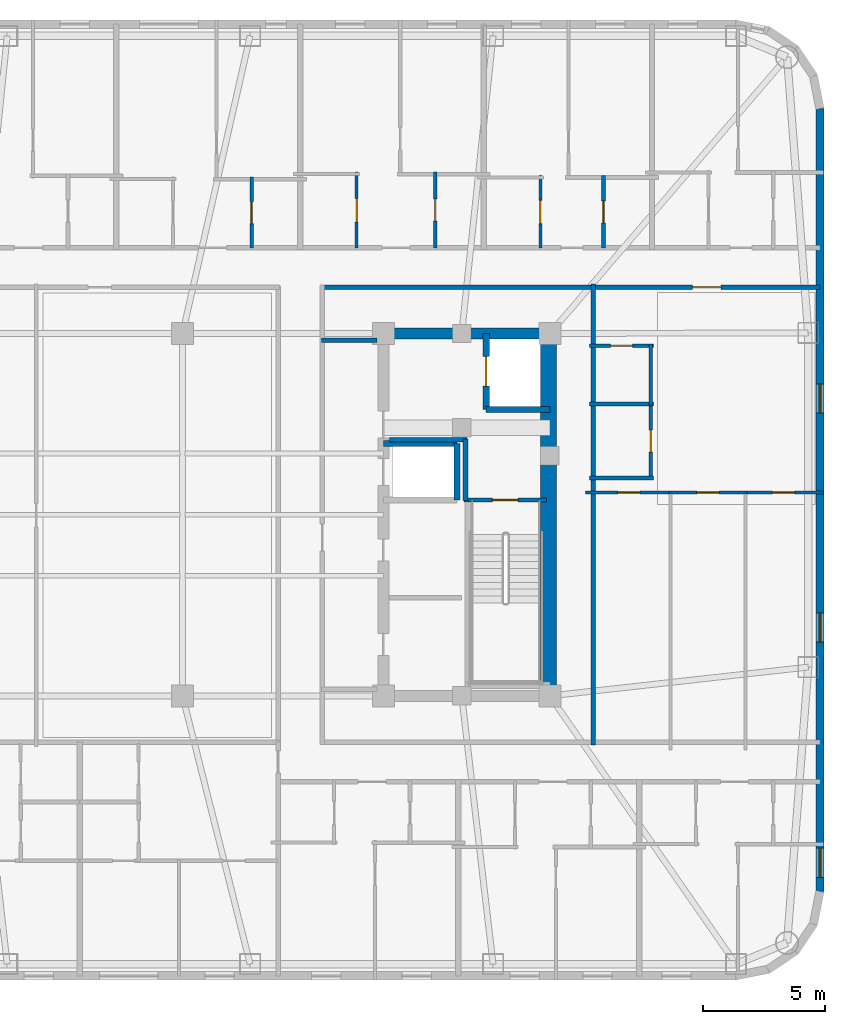
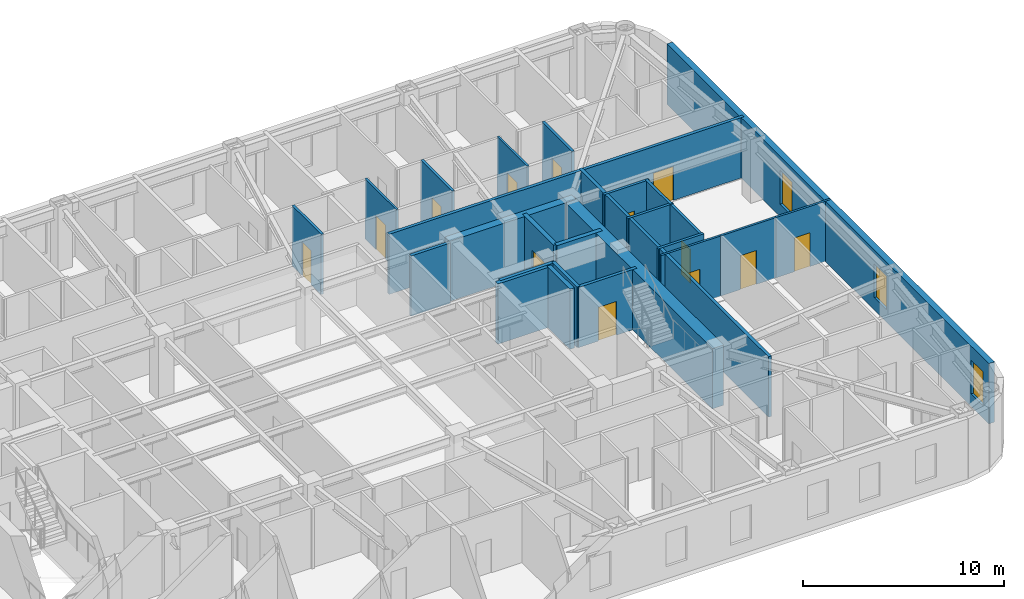
# One storey, part 7 of 11: 26 walls, 13 doors, 3 windows, 16 openings.
"""IFC4 building model written with IfcOpenShell, lengths in metres."""

from ifc_helpers import new_model, si_unit, direction, frame, frame_2d, origin, place, context, subcontext, project, spatial, rectangle, extrude, material, layer, layer_set, type_object, element, fill, save


model = new_model("IFC4")

# Units and contexts
model_context = context("Model", 3, precision=1e-05, world=origin(), true_north=direction((0.0, 1.0)))
body_context = subcontext(model_context, "Body", "Model", "MODEL_VIEW")
ifc_project = project(units=[si_unit("LENGTHUNIT", "METRE"), si_unit("AREAUNIT", "SQUARE_METRE"), si_unit("VOLUMEUNIT", "CUBIC_METRE"), si_unit("PLANEANGLEUNIT", "RADIAN"), si_unit("MASSUNIT", "GRAM", prefix="KILO")], contexts=[model_context])

# Site, building, storey
site_placement = place(None, origin())
site = spatial("IfcSite", under=ifc_project, at=site_placement, CompositionType="ELEMENT")
building_placement = place(site_placement, origin())
building = spatial("IfcBuilding", under=site, at=building_placement, Name="Voryun Gate Residences", CompositionType="ELEMENT")
storey_placement = place(building_placement, frame((0.0, 0.0, 243.10009765625)))
storey = spatial("IfcBuildingStorey", under=building, at=storey_placement, Name="L60", CompositionType="ELEMENT", Elevation=243.10009765625)

# Walls
ifc_material_1 = material(Name="Concrete C50/60", Category="concrete")
ifc_layer_1 = layer(ifc_material_1, 0.449951171875, Name="CW_CORE_450")
ifc_layer_set_1 = layer_set([ifc_layer_1], Name="Concrete C50/60")
wall_type_1 = type_object("IfcWallType", Name="CW_CORE_450", PredefinedType="SHEAR", material=ifc_layer_set_1)
wall_1_placement = place(storey_placement, frame((12.175048828125, 7.39990234375, 0.0), z_axis=(0.0, 0.0, 1.0), x_axis=(1.0, 0.0, 0.0)))
element("IfcWall", 1, at=wall_1_placement, inside=storey, type_object=wall_type_1, Name="L60 Core shear wall CW-L60-EN", PredefinedType="SHEAR", context=body_context, shape_type="SweptSolid", body=[
    extrude(rectangle(XDim=7.25, YDim=0.449951171875, at=frame_2d((3.625, 0.0))), origin(), (0.0, 0.0, 1.0), 3.64990234375),
])
ifc_material_2 = material(Name="Concrete C60/75", Category="concrete")
ifc_layer_2 = layer(ifc_material_2, 0.64990234375, Name="CW_CORE_650")
ifc_layer_set_2 = layer_set([ifc_layer_2], Name="Concrete C60/75")
wall_type_2 = type_object("IfcWallType", Name="CW_CORE_650", PredefinedType="SHEAR", material=ifc_layer_set_2)
wall_2_placement = place(storey_placement, frame((19.14501953125, -7.39990234375, 0.0), z_axis=(0.0, 0.0, 1.0), x_axis=(0.0, 1.0, 0.0)))
element("IfcWall", 2, at=wall_2_placement, inside=storey, type_object=wall_type_2, Name="L60 Core shear wall CW-L60-EE", PredefinedType="SHEAR", context=body_context, shape_type="SweptSolid", body=[
    extrude(rectangle(XDim=14.7998046875, YDim=0.64990234375, at=frame_2d((7.39990234375, 0.0))), origin(), (0.0, 0.0, 1.0), 3.64990234375),
])

# Wall, opening, door
ifc_material_3 = material(Name="Gypsum acoustic fireboard")
ifc_layer_3 = layer(ifc_material_3, 0.179931640625, Name="W_CORR_RATED_180")
ifc_layer_set_3 = layer_set([ifc_layer_3], Name="Gypsum acoustic fireboard")
wall_type_3 = type_object("IfcWallType", Name="W_CORR_RATED_180", PredefinedType="PARTITIONING", material=ifc_layer_set_3)
wall_3_placement = place(storey_placement, frame((15.699951171875, 0.60009765625, 0.0), z_axis=(0.0, 0.0, 1.0), x_axis=(1.0, 0.0, 0.0)))
wall_3 = element("IfcWall", 3, at=wall_3_placement, inside=storey, type_object=wall_type_3, Name="Partition wall WP-L60-STV-E", PredefinedType="PARTITIONING", context=body_context, shape_type="SweptSolid", body=[
    extrude(rectangle(XDim=3.360107421875, YDim=0.179931640625, at=frame_2d((1.68017578125, 0.0))), origin(), (0.0, 0.0, 1.0), 3.64990234375),
])
opening_1_placement = place(wall_3_placement, frame((1.155029296875, 0.0, 0.0)))
opening_1 = element("IfcOpeningElement", 4, at=opening_1_placement, cuts=wall_3, Name="Opening D-FD60-1", PredefinedType="OPENING", context=body_context, shape_type="SweptSolid", body=[
    extrude(rectangle(XDim=1.050048828125, YDim=2.050048828125, at=frame_2d((0.52490234375, 1.02490234375))), frame((0.0, 0.099853515625, 0.0), z_axis=(0.0, -1.0, 0.0), x_axis=(1.0, 0.0, 0.0)), (0.0, 0.0, 1.0), 0.199951171875),
])
ifc_material_4 = material(Name="Painted steel fire door", Category="steel")
door_type_1 = type_object("IfcDoorType", Name="DR_FD60_STAIR_1050", OperationType="NOTDEFINED", PredefinedType="DOOR", material=ifc_material_4)
door_1_placement = place(opening_1_placement, origin())
door_1 = element("IfcDoor", 5, at=door_1_placement, inside=storey, type_object=door_type_1, Name="Door DR-L60-ST-E", OperationType="SINGLE_SWING_RIGHT", OverallHeight=2.050048828125, OverallWidth=1.050048828125, PredefinedType="DOOR", context=body_context, shape_type="SweptSolid", body=[
    extrude(rectangle(XDim=1.050048828125, YDim=2.050048828125, at=frame_2d((0.52490234375, 1.02490234375))), frame((0.0, 0.02490234375, 0.0), z_axis=(0.0, -1.0, 0.0), x_axis=(1.0, 0.0, 0.0)), (0.0, 0.0, 1.0), 0.050048828125),
])
fill(opening_1, door_1)

# Wall
wall_4_placement = place(storey_placement, frame((9.8798828125, 7.1201171875, 0.0), z_axis=(0.0, 0.0, 1.0), x_axis=(1.0, 0.0, 0.0)))
element("IfcWall", 6, at=wall_4_placement, inside=storey, type_object=wall_type_3, Name="Partition wall WP-L60-PLBN-E", PredefinedType="PARTITIONING", context=body_context, shape_type="SweptSolid", body=[
    extrude(rectangle(XDim=2.27001953125, YDim=0.179931640625, at=frame_2d((1.135009765625, 0.0))), origin(), (0.0, 0.0, 1.0), 3.64990234375),
])

# Wall, opening, door
wall_5_placement = place(storey_placement, frame((9.8798828125, 9.2900390625, 0.0), z_axis=(0.0, 0.0, 1.0), x_axis=(1.0, 0.0, 0.0)))
wall_5 = element("IfcWall", 7, at=wall_5_placement, inside=storey, type_object=wall_type_3, Name="Partition wall WP-L60-CWING-EN", PredefinedType="PARTITIONING", context=body_context, shape_type="SweptSolid", body=[
    extrude(rectangle(XDim=20.35009765625, YDim=0.179931640625, at=frame_2d((10.175048828125, 0.0))), origin(), (0.0, 0.0, 1.0), 3.64990234375),
])
opening_2_placement = place(wall_5_placement, frame((15.1494140625, 0.0, 0.0)))
opening_2 = element("IfcOpeningElement", 8, at=opening_2_placement, cuts=wall_5, Name="Opening D-UNIT-1", PredefinedType="OPENING", context=body_context, shape_type="SweptSolid", body=[
    extrude(rectangle(XDim=1.14990234375, YDim=2.050048828125, at=frame_2d((0.574951171875, 1.02490234375))), frame((0.0, 0.099853515625, 0.0), z_axis=(0.0, -1.0, 0.0), x_axis=(1.0, 0.0, 0.0)), (0.0, 0.0, 1.0), 0.199951171875),
])
ifc_material_5 = material(Name="Armoured timber-clad fire door", Category="wood")
door_type_2 = type_object("IfcDoorType", Name="DR_UNIT_ENTRY_1150", OperationType="NOTDEFINED", PredefinedType="DOOR", material=ifc_material_5)
door_2_placement = place(opening_2_placement, origin())
door_2 = element("IfcDoor", 9, at=door_2_placement, inside=storey, type_object=door_type_2, Name="Door DR-L60-EE1N", OperationType="SINGLE_SWING_LEFT", OverallHeight=2.050048828125, OverallWidth=1.14990234375, PredefinedType="DOOR", context=body_context, shape_type="SweptSolid", body=[
    extrude(rectangle(XDim=1.14990234375, YDim=2.050048828125, at=frame_2d((0.574951171875, 1.02490234375))), frame((0.0, 0.02490234375, 0.0), z_axis=(0.0, -1.0, 0.0), x_axis=(1.0, 0.0, 0.0)), (0.0, 0.0, 1.0), 0.050048828125),
])
fill(opening_2, door_2)

# Wall
wall_6_placement = place(storey_placement, frame((20.969970703125, -9.409912109375, 0.0), z_axis=(0.0, 0.0, 1.0), x_axis=(0.0, 1.0, 0.0)))
element("IfcWall", 10, at=wall_6_placement, inside=storey, type_object=wall_type_3, Name="Partition wall WP-L60-ECOR", PredefinedType="PARTITIONING", context=body_context, shape_type="SweptSolid", body=[
    extrude(rectangle(XDim=18.81982421875, YDim=0.179931640625, at=frame_2d((9.409912109375, 0.0))), origin(), (0.0, 0.0, 1.0), 3.64990234375),
])

# Wall, openings, windows
ifc_material_6 = material(Name="Charcoal terracotta masonry", Category="masonry")
ifc_layer_4 = layer(ifc_material_6, 0.340087890625, Name="W_EXT_TERRACOTTA_340")
ifc_layer_set_4 = layer_set([ifc_layer_4], Name="Charcoal terracotta masonry")
wall_type_4 = type_object("IfcWallType", Name="W_EXT_TERRACOTTA_340", PredefinedType="ELEMENTEDWALL", material=ifc_layer_set_4)
wall_7_placement = place(storey_placement, frame((30.22998046875, 16.583251953125, 0.0), z_axis=(0.0, 0.0, 1.0), x_axis=(0.0, -1.0, 0.0)))
wall_7 = element("IfcWall", 11, at=wall_7_placement, inside=storey, type_object=wall_type_4, Name="Exterior wall WEXT-L60-16", PredefinedType="ELEMENTEDWALL", context=body_context, shape_type="SweptSolid", body=[
    extrude(rectangle(XDim=31.966552734375, YDim=0.340087890625, at=frame_2d((15.9833984375, 0.0))), origin(), (0.0, 0.0, 1.0), 3.64990234375),
])
opening_3_placement = place(wall_7_placement, frame((30.1962890625, 0.0, 0.75)))
opening_3 = element("IfcOpeningElement", 12, at=opening_3_placement, cuts=wall_7, Name="Opening WN6", PredefinedType="OPENING", context=body_context, shape_type="SweptSolid", body=[
    extrude(rectangle(XDim=1.199951171875, YDim=2.050048828125, at=frame_2d((0.60009765625, 1.02490234375))), frame((0.0, 0.179931640625, 0.0), z_axis=(0.0, -1.0, 0.0), x_axis=(1.0, 0.0, 0.0)), (0.0, 0.0, 1.0), 0.360107421875),
])
opening_4_placement = place(wall_7_placement, frame((11.23828125, 0.0, 0.75)))
opening_4 = element("IfcOpeningElement", 13, at=opening_4_placement, cuts=wall_7, Name="Opening WN6", PredefinedType="OPENING", context=body_context, shape_type="SweptSolid", body=[
    extrude(rectangle(XDim=1.199951171875, YDim=2.050048828125, at=frame_2d((0.60009765625, 1.02490234375))), frame((0.0, 0.179931640625, 0.0), z_axis=(0.0, -1.0, 0.0), x_axis=(1.0, 0.0, 0.0)), (0.0, 0.0, 1.0), 0.360107421875),
])
opening_5_placement = place(wall_7_placement, frame((20.58837890625, 0.0, 0.75)))
opening_5 = element("IfcOpeningElement", 14, at=opening_5_placement, cuts=wall_7, Name="Opening WN6", PredefinedType="OPENING", context=body_context, shape_type="SweptSolid", body=[
    extrude(rectangle(XDim=1.199951171875, YDim=2.050048828125, at=frame_2d((0.60009765625, 1.02490234375))), frame((0.0, 0.179931640625, 0.0), z_axis=(0.0, -1.0, 0.0), x_axis=(1.0, 0.0, 0.0)), (0.0, 0.0, 1.0), 0.360107421875),
])
ifc_material_7 = material(Name="Laminated low-E glass", Category="glass")
window_type = type_object("IfcWindowType", Name="WN_POD_SLOT_1200", PartitioningType="SINGLE_PANEL", PredefinedType="WINDOW", material=ifc_material_7)
window_1_placement = place(opening_3_placement, origin())
window_1 = element("IfcWindow", 15, at=window_1_placement, inside=storey, type_object=window_type, Name="Window WN-L60-DWFIX-22", OverallHeight=2.050048828125, OverallWidth=1.199951171875, PartitioningType="SINGLE_PANEL", PredefinedType="WINDOW", context=body_context, shape_type="SweptSolid", body=[
    extrude(rectangle(XDim=1.199951171875, YDim=2.050048828125, at=frame_2d((0.60009765625, 1.02490234375))), frame((0.0, 0.030029296875, 0.0), z_axis=(0.0, -1.0, 0.0), x_axis=(1.0, 0.0, 0.0)), (0.0, 0.0, 1.0), 0.06005859375),
])
fill(opening_3, window_1)
window_2_placement = place(opening_4_placement, origin())
window_2 = element("IfcWindow", 16, at=window_2_placement, inside=storey, type_object=window_type, Name="Window WN-L60-DWFIX-28", OverallHeight=2.050048828125, OverallWidth=1.199951171875, PartitioningType="SINGLE_PANEL", PredefinedType="WINDOW", context=body_context, shape_type="SweptSolid", body=[
    extrude(rectangle(XDim=1.199951171875, YDim=2.050048828125, at=frame_2d((0.60009765625, 1.02490234375))), frame((0.0, 0.030029296875, 0.0), z_axis=(0.0, -1.0, 0.0), x_axis=(1.0, 0.0, 0.0)), (0.0, 0.0, 1.0), 0.06005859375),
])
fill(opening_4, window_2)
window_3_placement = place(opening_5_placement, origin())
window_3 = element("IfcWindow", 17, at=window_3_placement, inside=storey, type_object=window_type, Name="Window WN-L60-DWFIX-29", OverallHeight=2.050048828125, OverallWidth=1.199951171875, PartitioningType="SINGLE_PANEL", PredefinedType="WINDOW", context=body_context, shape_type="SweptSolid", body=[
    extrude(rectangle(XDim=1.199951171875, YDim=2.050048828125, at=frame_2d((0.60009765625, 1.02490234375))), frame((0.0, 0.030029296875, 0.0), z_axis=(0.0, -1.0, 0.0), x_axis=(1.0, 0.0, 0.0)), (0.0, 0.0, 1.0), 0.06005859375),
])
fill(opening_5, window_3)

# Walls
ifc_material_8 = material(Name="Concrete C40/50", Category="concrete")
ifc_layer_5 = layer(ifc_material_8, 0.199951171875, Name="W_FF_LOBBY_200")
ifc_layer_set_5 = layer_set([ifc_layer_5], Name="Concrete C40/50")
wall_type_5 = type_object("IfcWallType", Name="W_FF_LOBBY_200", PredefinedType="PARTITIONING", material=ifc_layer_set_5)
wall_8_placement = place(storey_placement, frame((15.760009765625, 0.580078125, 0.0), z_axis=(0.0, 0.0, 1.0), x_axis=(0.0, 1.0, 0.0)))
element("IfcWall", 18, at=wall_8_placement, inside=storey, type_object=wall_type_5, Name="Partition wall WP-L60-FFP0-E", PredefinedType="PARTITIONING", context=body_context, shape_type="SweptSolid", body=[
    extrude(rectangle(XDim=2.52001953125, YDim=0.199951171875, at=frame_2d((1.260009765625, 0.0))), origin(), (0.0, 0.0, 1.0), 3.64990234375),
])
wall_9_placement = place(storey_placement, frame((12.659912109375, 3.06005859375, 0.0), z_axis=(0.0, 0.0, 1.0), x_axis=(1.0, 0.0, 0.0)))
element("IfcWall", 19, at=wall_9_placement, inside=storey, type_object=wall_type_5, Name="Partition wall WP-L60-FFPS-E", PredefinedType="PARTITIONING", context=body_context, shape_type="SweptSolid", body=[
    extrude(rectangle(XDim=3.16015625, YDim=0.199951171875, at=frame_2d((1.580078125, 0.0))), origin(), (0.0, 0.0, 1.0), 3.64990234375),
])
ifc_material_9 = material(Name="Concrete C50/60", Category="concrete")
ifc_layer_6 = layer(ifc_material_9, 0.25, Name="W_SHAFT_RC250")
ifc_layer_set_6 = layer_set([ifc_layer_6], Name="Concrete C50/60")
wall_type_6 = type_object("IfcWallType", Name="W_SHAFT_RC250", PredefinedType="SOLIDWALL", material=ifc_layer_set_6)
wall_10_placement = place(storey_placement, frame((16.60009765625, 4.300048828125, 0.0), z_axis=(0.0, 0.0, 1.0), x_axis=(1.0, 0.0, 0.0)))
element("IfcWall", 20, at=wall_10_placement, inside=storey, type_object=wall_type_6, Name="Lift shaft wall WSH-L60-EL-FF-E1-S", PredefinedType="SOLIDWALL", context=body_context, shape_type="SweptSolid", body=[
    extrude(rectangle(XDim=2.599853515625, YDim=0.25, at=frame_2d((1.2998046875, 0.0))), origin(), (0.0, 0.0, 1.0), 3.64990234375),
])

# Wall, opening, door
wall_11_placement = place(storey_placement, frame((16.60009765625, 7.39990234375, 0.0), z_axis=(0.0, 0.0, 1.0), x_axis=(0.0, -1.0, 0.0)))
wall_11 = element("IfcWall", 21, at=wall_11_placement, inside=storey, type_object=wall_type_6, Name="Lift shaft wall WSH-L60-EL-FF-E1-W", PredefinedType="SOLIDWALL", context=body_context, shape_type="SweptSolid", body=[
    extrude(rectangle(XDim=3.099853515625, YDim=0.25, at=frame_2d((1.5498046875, 0.0))), origin(), (0.0, 0.0, 1.0), 3.64990234375),
])
opening_6_placement = place(wall_11_placement, frame((0.949951171875, 0.0, 0.0)))
opening_6 = element("IfcOpeningElement", 22, at=opening_6_placement, cuts=wall_11, Name="Opening LD1", PredefinedType="OPENING", context=body_context, shape_type="SweptSolid", body=[
    extrude(rectangle(XDim=1.199951171875, YDim=2.050048828125, at=frame_2d((0.60009765625, 1.02490234375))), frame((0.0, 0.135009765625, 0.0), z_axis=(0.0, -1.0, 0.0), x_axis=(1.0, 0.0, 0.0)), (0.0, 0.0, 1.0), 0.27001953125),
])
ifc_material_10 = material(Name="Anodised aluminium", Category="aluminium")
door_type_3 = type_object("IfcDoorType", Name="DR_LD_FF_1200", OperationType="NOTDEFINED", PredefinedType="DOOR", material=ifc_material_10)
door_3_placement = place(opening_6_placement, origin())
door_3 = element("IfcDoor", 23, at=door_3_placement, inside=storey, type_object=door_type_3, Name="Lift EL-FF-E1 sliding landing door L60", OperationType="SLIDING_TO_LEFT", OverallHeight=2.050048828125, OverallWidth=1.199951171875, PredefinedType="DOOR", context=body_context, shape_type="SweptSolid", body=[
    extrude(rectangle(XDim=1.199951171875, YDim=2.050048828125, at=frame_2d((0.60009765625, 1.02490234375))), frame((0.0, 0.02490234375, 0.0), z_axis=(0.0, -1.0, 0.0), x_axis=(1.0, 0.0, 0.0)), (0.0, 0.0, 1.0), 0.050048828125),
])
fill(opening_6, door_3)

# Walls
wall_12_placement = place(storey_placement, frame((15.39990234375, 0.60009765625, 0.0), z_axis=(0.0, 0.0, 1.0), x_axis=(0.0, 1.0, 0.0)))
element("IfcWall", 24, at=wall_12_placement, inside=storey, type_object=wall_type_6, Name="Lift shaft wall WSH-L60-EL-P8-E", PredefinedType="SOLIDWALL", context=body_context, shape_type="SweptSolid", body=[
    extrude(rectangle(XDim=2.2998046875, YDim=0.25, at=frame_2d((1.14990234375, 0.0))), origin(), (0.0, 0.0, 1.0), 3.64990234375),
])
wall_13_placement = place(storey_placement, frame((15.39990234375, 2.89990234375, 0.0), z_axis=(0.0, 0.0, 1.0), x_axis=(-1.0, 0.0, 0.0)))
element("IfcWall", 25, at=wall_13_placement, inside=storey, type_object=wall_type_6, Name="Lift shaft wall WSH-L60-EL-P8-N", PredefinedType="SOLIDWALL", context=body_context, shape_type="SweptSolid", body=[
    extrude(rectangle(XDim=3.0, YDim=0.25, at=frame_2d((1.5, 0.0))), origin(), (0.0, 0.0, 1.0), 3.64990234375),
])

# Wall, opening, door
ifc_material_11 = material(Name="Gypsum acoustic partition")
ifc_layer_7 = layer(ifc_material_11, 0.125, Name="W_UNIT_PART_125")
ifc_layer_set_7 = layer_set([ifc_layer_7], Name="Gypsum acoustic partition")
wall_type_7 = type_object("IfcWallType", Name="W_UNIT_PART_125", PredefinedType="PARTITIONING", material=ifc_layer_set_7)
wall_14_placement = place(storey_placement, frame((11.31005859375, 10.8798828125, 0.0), z_axis=(0.0, 0.0, 1.0), x_axis=(0.0, 1.0, 0.0)))
wall_14 = element("IfcWall", 26, at=wall_14_placement, inside=storey, type_object=wall_type_7, Name="Partition wall WP-L60-N6-IVK", PredefinedType="PARTITIONING", context=body_context, shape_type="SweptSolid", body=[
    extrude(rectangle(XDim=3.106201171875, YDim=0.125, at=frame_2d((1.55322265625, 0.0))), origin(), (0.0, 0.0, 1.0), 3.64990234375),
])
opening_7_placement = place(wall_14_placement, frame((1.077880859375, 0.0, 0.0)))
opening_7 = element("IfcOpeningElement", 27, at=opening_7_placement, cuts=wall_14, Name="Opening D-INT-1", PredefinedType="OPENING", context=body_context, shape_type="SweptSolid", body=[
    extrude(rectangle(XDim=0.949951171875, YDim=2.050048828125, at=frame_2d((0.47509765625, 1.02490234375))), frame((0.0, 0.072509765625, 0.0), z_axis=(0.0, -1.0, 0.0), x_axis=(1.0, 0.0, 0.0)), (0.0, 0.0, 1.0), 0.14501953125),
])
ifc_material_12 = material(Name="Architectural oak veneer")
door_type_4 = type_object("IfcDoorType", Name="DR_INT_ROOM_950", OperationType="NOTDEFINED", PredefinedType="DOOR", material=ifc_material_12)
door_4_placement = place(opening_7_placement, origin())
door_4 = element("IfcDoor", 28, at=door_4_placement, inside=storey, type_object=door_type_4, Name="Door DR-L60-N6-DK", OperationType="SINGLE_SWING_LEFT", OverallHeight=2.050048828125, OverallWidth=0.949951171875, PredefinedType="DOOR", context=body_context, shape_type="SweptSolid", body=[
    extrude(rectangle(XDim=0.949951171875, YDim=2.050048828125, at=frame_2d((0.47509765625, 1.02490234375))), frame((0.0, 0.02490234375, 0.0), z_axis=(0.0, -1.0, 0.0), x_axis=(1.0, 0.0, 0.0)), (0.0, 0.0, 1.0), 0.050048828125),
])
fill(opening_7, door_4)

wall_15_placement = place(storey_placement, frame((18.81005859375, 10.8798828125, 0.0), z_axis=(0.0, 0.0, 1.0), x_axis=(0.0, 1.0, 0.0)))
wall_15 = element("IfcWall", 29, at=wall_15_placement, inside=storey, type_object=wall_type_7, Name="Partition wall WP-L60-N7-IVK", PredefinedType="PARTITIONING", context=body_context, shape_type="SweptSolid", body=[
    extrude(rectangle(XDim=2.96923828125, YDim=0.125, at=frame_2d((1.484619140625, 0.0))), origin(), (0.0, 0.0, 1.0), 3.64990234375),
])
opening_8_placement = place(wall_15_placement, frame((1.009521484375, 0.0, 0.0)))
opening_8 = element("IfcOpeningElement", 30, at=opening_8_placement, cuts=wall_15, Name="Opening D-INT-1", PredefinedType="OPENING", context=body_context, shape_type="SweptSolid", body=[
    extrude(rectangle(XDim=0.949951171875, YDim=2.050048828125, at=frame_2d((0.47509765625, 1.02490234375))), frame((0.0, 0.072509765625, 0.0), z_axis=(0.0, -1.0, 0.0), x_axis=(1.0, 0.0, 0.0)), (0.0, 0.0, 1.0), 0.14501953125),
])
door_5_placement = place(opening_8_placement, origin())
door_5 = element("IfcDoor", 31, at=door_5_placement, inside=storey, type_object=door_type_4, Name="Door DR-L60-N7-DK", OperationType="SINGLE_SWING_LEFT", OverallHeight=2.050048828125, OverallWidth=0.949951171875, PredefinedType="DOOR", context=body_context, shape_type="SweptSolid", body=[
    extrude(rectangle(XDim=0.949951171875, YDim=2.050048828125, at=frame_2d((0.47509765625, 1.02490234375))), frame((0.0, 0.02490234375, 0.0), z_axis=(0.0, -1.0, 0.0), x_axis=(1.0, 0.0, 0.0)), (0.0, 0.0, 1.0), 0.050048828125),
])
fill(opening_8, door_5)

wall_16_placement = place(storey_placement, frame((20.64990234375, 0.909912109375, 0.0), z_axis=(0.0, 0.0, 1.0), x_axis=(1.0, 0.0, 0.0)))
wall_16 = element("IfcWall", 32, at=wall_16_placement, inside=storey, type_object=wall_type_7, Name="Partition wall WP-L60-E1-HZMB1", PredefinedType="PARTITIONING", context=body_context, shape_type="SweptSolid", body=[
    extrude(rectangle(XDim=3.53369140625, YDim=0.125, at=frame_2d((1.766845703125, 0.0))), origin(), (0.0, 0.0, 1.0), 3.64990234375),
])
opening_9_placement = place(wall_16_placement, frame((1.325439453125, 0.0, 0.0)))
opening_9 = element("IfcOpeningElement", 33, at=opening_9_placement, cuts=wall_16, Name="Opening D-INT-2", PredefinedType="OPENING", context=body_context, shape_type="SweptSolid", body=[
    extrude(rectangle(XDim=0.89990234375, YDim=2.050048828125, at=frame_2d((0.449951171875, 1.02490234375))), frame((0.0, 0.072509765625, 0.0), z_axis=(0.0, -1.0, 0.0), x_axis=(1.0, 0.0, 0.0)), (0.0, 0.0, 1.0), 0.14501953125),
])
ifc_material_13 = material(Name="Architectural oak veneer")
door_type_5 = type_object("IfcDoorType", Name="DR_INT_BATH_900", OperationType="NOTDEFINED", PredefinedType="DOOR", material=ifc_material_13)
door_6_placement = place(opening_9_placement, origin())
door_6 = element("IfcDoor", 34, at=door_6_placement, inside=storey, type_object=door_type_5, Name="Door DR-L60-E1-DMB", OperationType="SINGLE_SWING_LEFT", OverallHeight=2.050048828125, OverallWidth=0.89990234375, PredefinedType="DOOR", context=body_context, shape_type="SweptSolid", body=[
    extrude(rectangle(XDim=0.89990234375, YDim=2.050048828125, at=frame_2d((0.449951171875, 1.02490234375))), frame((0.0, 0.02490234375, 0.0), z_axis=(0.0, -1.0, 0.0), x_axis=(1.0, 0.0, 0.0)), (0.0, 0.0, 1.0), 0.050048828125),
])
fill(opening_9, door_6)

wall_17_placement = place(storey_placement, frame((24.05859375, 0.909912109375, 0.0), z_axis=(0.0, 0.0, 1.0), x_axis=(1.0, 0.0, 0.0)))
wall_17 = element("IfcWall", 35, at=wall_17_placement, inside=storey, type_object=wall_type_7, Name="Partition wall WP-L60-E1-HZMB2", PredefinedType="PARTITIONING", context=body_context, shape_type="SweptSolid", body=[
    extrude(rectangle(XDim=3.182861328125, YDim=0.125, at=frame_2d((1.59130859375, 0.0))), origin(), (0.0, 0.0, 1.0), 3.64990234375),
])
opening_10_placement = place(wall_17_placement, frame((1.1416015625, 0.0, 0.0)))
opening_10 = element("IfcOpeningElement", 36, at=opening_10_placement, cuts=wall_17, Name="Opening D-INT-2", PredefinedType="OPENING", context=body_context, shape_type="SweptSolid", body=[
    extrude(rectangle(XDim=0.89990234375, YDim=2.050048828125, at=frame_2d((0.449951171875, 1.02490234375))), frame((0.0, 0.072509765625, 0.0), z_axis=(0.0, -1.0, 0.0), x_axis=(1.0, 0.0, 0.0)), (0.0, 0.0, 1.0), 0.14501953125),
])
door_7_placement = place(opening_10_placement, origin())
door_7 = element("IfcDoor", 37, at=door_7_placement, inside=storey, type_object=door_type_5, Name="Door DR-L60-E1-DBD2", OperationType="SINGLE_SWING_RIGHT", OverallHeight=2.050048828125, OverallWidth=0.89990234375, PredefinedType="DOOR", context=body_context, shape_type="SweptSolid", body=[
    extrude(rectangle(XDim=0.89990234375, YDim=2.050048828125, at=frame_2d((0.449951171875, 1.02490234375))), frame((0.0, 0.02490234375, 0.0), z_axis=(0.0, -1.0, 0.0), x_axis=(1.0, 0.0, 0.0)), (0.0, 0.0, 1.0), 0.050048828125),
])
fill(opening_10, door_7)

wall_18_placement = place(storey_placement, frame((27.116455078125, 0.909912109375, 0.0), z_axis=(0.0, 0.0, 1.0), x_axis=(1.0, 0.0, 0.0)))
wall_18 = element("IfcWall", 38, at=wall_18_placement, inside=storey, type_object=wall_type_7, Name="Partition wall WP-L60-E1-HZMB3", PredefinedType="PARTITIONING", context=body_context, shape_type="SweptSolid", body=[
    extrude(rectangle(XDim=3.263427734375, YDim=0.125, at=frame_2d((1.6318359375, 0.0))), origin(), (0.0, 0.0, 1.0), 3.64990234375),
])
opening_11_placement = place(wall_18_placement, frame((1.173095703125, 0.0, 0.0)))
opening_11 = element("IfcOpeningElement", 39, at=opening_11_placement, cuts=wall_18, Name="Opening D-INT-2", PredefinedType="OPENING", context=body_context, shape_type="SweptSolid", body=[
    extrude(rectangle(XDim=0.89990234375, YDim=2.050048828125, at=frame_2d((0.449951171875, 1.02490234375))), frame((0.0, 0.072509765625, 0.0), z_axis=(0.0, -1.0, 0.0), x_axis=(1.0, 0.0, 0.0)), (0.0, 0.0, 1.0), 0.14501953125),
])
door_8_placement = place(opening_11_placement, origin())
door_8 = element("IfcDoor", 40, at=door_8_placement, inside=storey, type_object=door_type_5, Name="Door DR-L60-E1-DBD3", OperationType="SINGLE_SWING_LEFT", OverallHeight=2.050048828125, OverallWidth=0.89990234375, PredefinedType="DOOR", context=body_context, shape_type="SweptSolid", body=[
    extrude(rectangle(XDim=0.89990234375, YDim=2.050048828125, at=frame_2d((0.449951171875, 1.02490234375))), frame((0.0, 0.02490234375, 0.0), z_axis=(0.0, -1.0, 0.0), x_axis=(1.0, 0.0, 0.0)), (0.0, 0.0, 1.0), 0.050048828125),
])
fill(opening_11, door_8)

ifc_material_14 = material(Name="Gypsum moisture-resistant partition")
ifc_layer_8 = layer(ifc_material_14, 0.14990234375, Name="W_WET_PLUMB_150")
ifc_layer_set_8 = layer_set([ifc_layer_8], Name="Gypsum moisture-resistant partition")
wall_type_8 = type_object("IfcWallType", Name="W_WET_PLUMB_150", PredefinedType="PLUMBINGWALL", material=ifc_layer_set_8)
wall_19_placement = place(storey_placement, frame((7.02001953125, 10.8798828125, 0.0), z_axis=(0.0, 0.0, 1.0), x_axis=(0.0, 1.0, 0.0)))
wall_19 = element("IfcWall", 41, at=wall_19_placement, inside=storey, type_object=wall_type_8, Name="Partition wall WP-L60-N5-IVB", PredefinedType="PLUMBINGWALL", context=body_context, shape_type="SweptSolid", body=[
    extrude(rectangle(XDim=2.901123046875, YDim=0.14990234375, at=frame_2d((1.45068359375, 0.0))), origin(), (0.0, 0.0, 1.0), 3.64990234375),
])
opening_12_placement = place(wall_19_placement, frame((1.00048828125, 0.0, 0.0)))
opening_12 = element("IfcOpeningElement", 42, at=opening_12_placement, cuts=wall_19, Name="Opening D-INT-2", PredefinedType="OPENING", context=body_context, shape_type="SweptSolid", body=[
    extrude(rectangle(XDim=0.89990234375, YDim=2.050048828125, at=frame_2d((0.449951171875, 1.02490234375))), frame((0.0, 0.0849609375, 0.0), z_axis=(0.0, -1.0, 0.0), x_axis=(1.0, 0.0, 0.0)), (0.0, 0.0, 1.0), 0.169921875),
])
door_9_placement = place(opening_12_placement, origin())
door_9 = element("IfcDoor", 43, at=door_9_placement, inside=storey, type_object=door_type_5, Name="Door DR-L60-N5-DB", OperationType="SINGLE_SWING_RIGHT", OverallHeight=2.050048828125, OverallWidth=0.89990234375, PredefinedType="DOOR", context=body_context, shape_type="SweptSolid", body=[
    extrude(rectangle(XDim=0.89990234375, YDim=2.050048828125, at=frame_2d((0.449951171875, 1.02490234375))), frame((0.0, 0.02490234375, 0.0), z_axis=(0.0, -1.0, 0.0), x_axis=(1.0, 0.0, 0.0)), (0.0, 0.0, 1.0), 0.050048828125),
])
fill(opening_12, door_9)

wall_20_placement = place(storey_placement, frame((14.52001953125, 10.8798828125, 0.0), z_axis=(0.0, 0.0, 1.0), x_axis=(0.0, 1.0, 0.0)))
wall_20 = element("IfcWall", 44, at=wall_20_placement, inside=storey, type_object=wall_type_8, Name="Partition wall WP-L60-N6-IVB", PredefinedType="PLUMBINGWALL", context=body_context, shape_type="SweptSolid", body=[
    extrude(rectangle(XDim=3.106201171875, YDim=0.14990234375, at=frame_2d((1.55322265625, 0.0))), origin(), (0.0, 0.0, 1.0), 3.64990234375),
])
opening_13_placement = place(wall_20_placement, frame((1.10302734375, 0.0, 0.0)))
opening_13 = element("IfcOpeningElement", 45, at=opening_13_placement, cuts=wall_20, Name="Opening D-INT-2", PredefinedType="OPENING", context=body_context, shape_type="SweptSolid", body=[
    extrude(rectangle(XDim=0.89990234375, YDim=2.050048828125, at=frame_2d((0.449951171875, 1.02490234375))), frame((0.0, 0.0849609375, 0.0), z_axis=(0.0, -1.0, 0.0), x_axis=(1.0, 0.0, 0.0)), (0.0, 0.0, 1.0), 0.169921875),
])
door_10_placement = place(opening_13_placement, origin())
door_10 = element("IfcDoor", 46, at=door_10_placement, inside=storey, type_object=door_type_5, Name="Door DR-L60-N6-DB", OperationType="SINGLE_SWING_RIGHT", OverallHeight=2.050048828125, OverallWidth=0.89990234375, PredefinedType="DOOR", context=body_context, shape_type="SweptSolid", body=[
    extrude(rectangle(XDim=0.89990234375, YDim=2.050048828125, at=frame_2d((0.449951171875, 1.02490234375))), frame((0.0, 0.02490234375, 0.0), z_axis=(0.0, -1.0, 0.0), x_axis=(1.0, 0.0, 0.0)), (0.0, 0.0, 1.0), 0.050048828125),
])
fill(opening_13, door_10)

wall_21_placement = place(storey_placement, frame((21.387939453125, 10.8798828125, 0.0), z_axis=(0.0, 0.0, 1.0), x_axis=(0.0, 1.0, 0.0)))
wall_21 = element("IfcWall", 47, at=wall_21_placement, inside=storey, type_object=wall_type_8, Name="Partition wall WP-L60-N7-IVB", PredefinedType="PLUMBINGWALL", context=body_context, shape_type="SweptSolid", body=[
    extrude(rectangle(XDim=2.96923828125, YDim=0.14990234375, at=frame_2d((1.484619140625, 0.0))), origin(), (0.0, 0.0, 1.0), 3.64990234375),
])
opening_14_placement = place(wall_21_placement, frame((1.034423828125, 0.0, 0.0)))
opening_14 = element("IfcOpeningElement", 48, at=opening_14_placement, cuts=wall_21, Name="Opening D-INT-2", PredefinedType="OPENING", context=body_context, shape_type="SweptSolid", body=[
    extrude(rectangle(XDim=0.89990234375, YDim=2.050048828125, at=frame_2d((0.449951171875, 1.02490234375))), frame((0.0, 0.0849609375, 0.0), z_axis=(0.0, -1.0, 0.0), x_axis=(1.0, 0.0, 0.0)), (0.0, 0.0, 1.0), 0.169921875),
])
door_11_placement = place(opening_14_placement, origin())
door_11 = element("IfcDoor", 49, at=door_11_placement, inside=storey, type_object=door_type_5, Name="Door DR-L60-N7-DB", OperationType="SINGLE_SWING_RIGHT", OverallHeight=2.050048828125, OverallWidth=0.89990234375, PredefinedType="DOOR", context=body_context, shape_type="SweptSolid", body=[
    extrude(rectangle(XDim=0.89990234375, YDim=2.050048828125, at=frame_2d((0.449951171875, 1.02490234375))), frame((0.0, 0.02490234375, 0.0), z_axis=(0.0, -1.0, 0.0), x_axis=(1.0, 0.0, 0.0)), (0.0, 0.0, 1.0), 0.050048828125),
])
fill(opening_14, door_11)

wall_22_placement = place(storey_placement, frame((20.820068359375, 6.89990234375, 0.0), z_axis=(0.0, 0.0, 1.0), x_axis=(1.0, 0.0, 0.0)))
wall_22 = element("IfcWall", 50, at=wall_22_placement, inside=storey, type_object=wall_type_8, Name="Partition wall WP-L60-E1-IBT", PredefinedType="PLUMBINGWALL", context=body_context, shape_type="SweptSolid", body=[
    extrude(rectangle(XDim=2.619873046875, YDim=0.14990234375, at=frame_2d((1.31005859375, 0.0))), origin(), (0.0, 0.0, 1.0), 3.64990234375),
])
opening_15_placement = place(wall_22_placement, frame((0.860107421875, 0.0, 0.0)))
opening_15 = element("IfcOpeningElement", 51, at=opening_15_placement, cuts=wall_22, Name="Opening D-INT-2", PredefinedType="OPENING", context=body_context, shape_type="SweptSolid", body=[
    extrude(rectangle(XDim=0.89990234375, YDim=2.050048828125, at=frame_2d((0.449951171875, 1.02490234375))), frame((0.0, 0.0849609375, 0.0), z_axis=(0.0, -1.0, 0.0), x_axis=(1.0, 0.0, 0.0)), (0.0, 0.0, 1.0), 0.169921875),
])
door_12_placement = place(opening_15_placement, origin())
door_12 = element("IfcDoor", 52, at=door_12_placement, inside=storey, type_object=door_type_5, Name="Door DR-L60-E1-DK", OperationType="SINGLE_SWING_LEFT", OverallHeight=2.050048828125, OverallWidth=0.89990234375, PredefinedType="DOOR", context=body_context, shape_type="SweptSolid", body=[
    extrude(rectangle(XDim=0.89990234375, YDim=2.050048828125, at=frame_2d((0.449951171875, 1.02490234375))), frame((0.0, 0.02490234375, 0.0), z_axis=(0.0, -1.0, 0.0), x_axis=(1.0, 0.0, 0.0)), (0.0, 0.0, 1.0), 0.050048828125),
])
fill(opening_15, door_12)

# Walls
for number, where, z_axis, x_axis, name in (
    (53, (20.820068359375, 4.52001953125, 0.0), (0.0, 0.0, 1.0), (1.0, 0.0, 0.0), "Partition wall WP-L60-E1-IKB"),
    (54, (20.820068359375, 1.5, 0.0), (0.0, 0.0, 1.0), (1.0, 0.0, 0.0), "Partition wall WP-L60-E1-IBB"),
):
    element("IfcWall", number, at=place(storey_placement, frame(where, z_axis=z_axis, x_axis=x_axis)), inside=storey, type_object=wall_type_8, Name=name, PredefinedType="PLUMBINGWALL", context=body_context, shape_type="SweptSolid", body=[
        extrude(rectangle(XDim=2.619873046875, YDim=0.14990234375, at=frame_2d((1.31005859375, 0.0))), origin(), (0.0, 0.0, 1.0), 3.64990234375),
    ])

# Wall, opening, door
wall_23_placement = place(storey_placement, frame((23.320068359375, 1.43994140625, 0.0), z_axis=(0.0, 0.0, 1.0), x_axis=(0.0, 1.0, 0.0)))
wall_23 = element("IfcWall", 55, at=wall_23_placement, inside=storey, type_object=wall_type_8, Name="Partition wall WP-L60-E1-VTSK1", PredefinedType="PLUMBINGWALL", context=body_context, shape_type="SweptSolid", body=[
    extrude(rectangle(XDim=3.1201171875, YDim=0.14990234375, at=frame_2d((1.56005859375, 0.0))), origin(), (0.0, 0.0, 1.0), 3.64990234375),
])
opening_16_placement = place(wall_23_placement, frame((1.110107421875, 0.0, 0.0)))
opening_16 = element("IfcOpeningElement", 56, at=opening_16_placement, cuts=wall_23, Name="Opening D-INT-2", PredefinedType="OPENING", context=body_context, shape_type="SweptSolid", body=[
    extrude(rectangle(XDim=0.89990234375, YDim=2.050048828125, at=frame_2d((0.449951171875, 1.02490234375))), frame((0.0, 0.0849609375, 0.0), z_axis=(0.0, -1.0, 0.0), x_axis=(1.0, 0.0, 0.0)), (0.0, 0.0, 1.0), 0.169921875),
])
door_13_placement = place(opening_16_placement, origin())
door_13 = element("IfcDoor", 57, at=door_13_placement, inside=storey, type_object=door_type_5, Name="Door DR-L60-E1-DB", OperationType="SINGLE_SWING_RIGHT", OverallHeight=2.050048828125, OverallWidth=0.89990234375, PredefinedType="DOOR", context=body_context, shape_type="SweptSolid", body=[
    extrude(rectangle(XDim=0.89990234375, YDim=2.050048828125, at=frame_2d((0.449951171875, 1.02490234375))), frame((0.0, 0.02490234375, 0.0), z_axis=(0.0, -1.0, 0.0), x_axis=(1.0, 0.0, 0.0)), (0.0, 0.0, 1.0), 0.050048828125),
])
fill(opening_16, door_13)

# Wall
wall_24_placement = place(storey_placement, frame((23.320068359375, 4.47998046875, 0.0), z_axis=(0.0, 0.0, 1.0), x_axis=(0.0, 1.0, 0.0)))
element("IfcWall", 58, at=wall_24_placement, inside=storey, type_object=wall_type_8, Name="Partition wall WP-L60-E1-VTSK2", PredefinedType="PLUMBINGWALL", context=body_context, shape_type="SweptSolid", body=[
    extrude(rectangle(XDim=2.47998046875, YDim=0.14990234375, at=frame_2d((1.239990234375, 0.0))), origin(), (0.0, 0.0, 1.0), 3.64990234375),
])

save(model, "model.ifc")
